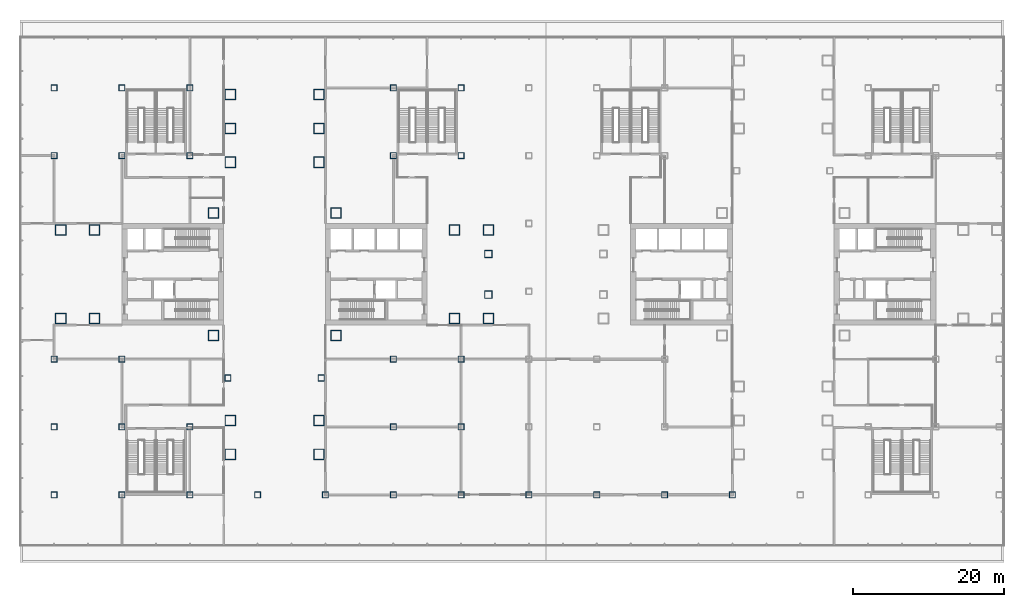
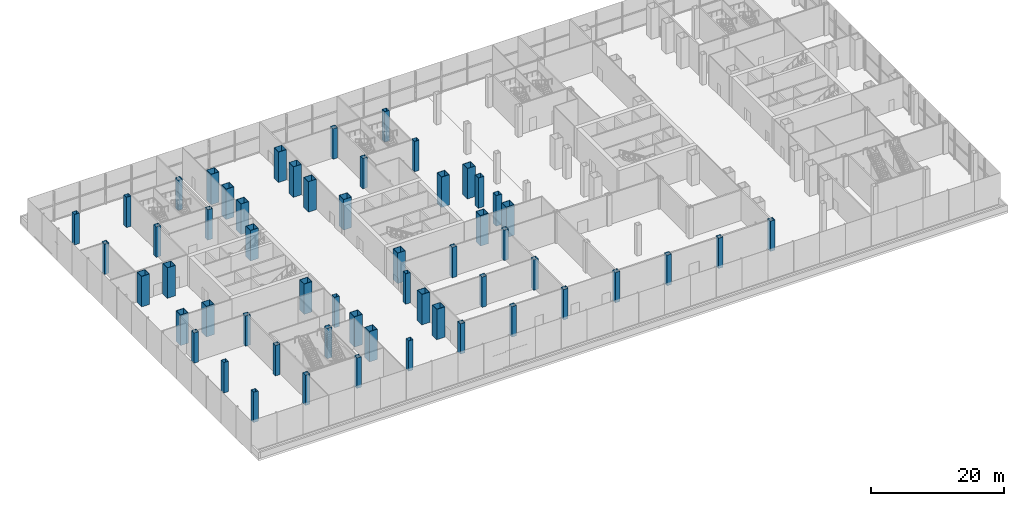
# One storey, part 1 of 38: 56 columns.
"""IFC4 building model written with IfcOpenShell, lengths in metres."""

from ifc_helpers import new_model, si_unit, direction, frame, origin, origin_2d, place, context, subcontext, project, spatial, hollow_rectangle, extrude, material, material_profile, profile_set, type_object, element, save


model = new_model("IFC4")

# Units and contexts
model_context = context("Model", 3, precision=1e-05, world=origin(), true_north=direction((0.0, 1.0)))
body_context = subcontext(model_context, "Body", "Model", "MODEL_VIEW")
ifc_project = project(units=[si_unit("LENGTHUNIT", "METRE"), si_unit("AREAUNIT", "SQUARE_METRE"), si_unit("VOLUMEUNIT", "CUBIC_METRE"), si_unit("PLANEANGLEUNIT", "RADIAN"), si_unit("MASSUNIT", "GRAM", prefix="KILO")], contexts=[model_context])

# Site, building, storey
site_placement = place(None, origin())
site = spatial("IfcSite", under=ifc_project, at=site_placement, CompositionType="ELEMENT")
building_placement = place(site_placement, origin())
building = spatial("IfcBuilding", under=site, at=building_placement, Name="Shamsa Quay Exchange Towers", CompositionType="ELEMENT")
storey_placement = place(building_placement, frame((0.0, 0.0, 12.5)))
storey = spatial("IfcBuildingStorey", under=building, at=storey_placement, Name="L02", CompositionType="ELEMENT", Elevation=12.5)

# Columns
ifc_material_1 = material(Name="Concrete-filled steel tube S355 / C80/95", Category="concrete")
ifc_material_profile_1 = material_profile(ifc_material_1, hollow_rectangle(XDim=1.39990234375, YDim=1.39990234375, WallThickness=0.06005859375, at=origin_2d()), Name="CFT 1400x1400x60")
ifc_profile_set_1 = profile_set([ifc_material_profile_1], Name="Concrete-filled steel tube S355 / C80/95")
column_type_1 = type_object("IfcColumnType", Name="Column CFT 1400x1400x60", PredefinedType="COLUMN", material=ifc_profile_set_1)
for number, where, name in (
    (1, (-25.625, 8.125, 0.0), "Mega column T1-CM01"),
    (2, (-25.625, -8.125, 0.0), "Mega column T1-CM02"),
    (3, (-41.875, 8.125, 0.0), "Mega column T1-CM03"),
    (4, (-41.875, -8.125, 0.0), "Mega column T1-CM04"),
    (5, (-9.875, -5.875, 0.0), "Mega column T1-CM05"),
    (6, (-5.375, -5.875, 0.0), "Mega column T1-CM06"),
    (7, (-9.875, 5.875, 0.0), "Mega column T1-CM07"),
    (8, (-5.375, 5.875, 0.0), "Mega column T1-CM08"),
    (9, (-57.625, -5.875, 0.0), "Mega column T1-CM09"),
    (10, (-62.125, -5.875, 0.0), "Mega column T1-CM10"),
    (11, (-57.625, 5.875, 0.0), "Mega column T1-CM11"),
    (12, (-62.125, 5.875, 0.0), "Mega column T1-CM12"),
    (13, (-39.625, 14.875, 0.0), "Mega column T1-CM13"),
    (14, (-39.625, 19.375, 0.0), "Mega column T1-CM14"),
    (15, (-39.625, 23.875, 0.0), "Mega column T1-CM15"),
    (16, (-27.875, 14.875, 0.0), "Mega column T1-CM16"),
    (17, (-27.875, 19.375, 0.0), "Mega column T1-CM17"),
    (18, (-27.875, 23.875, 0.0), "Mega column T1-CM18"),
    (19, (-39.625, -19.375, 0.0), "Mega column T1-CM20"),
    (20, (-39.625, -23.875, 0.0), "Mega column T1-CM21"),
    (21, (-27.875, -19.375, 0.0), "Mega column T1-CM23"),
    (22, (-27.875, -23.875, 0.0), "Mega column T1-CM24"),
):
    element("IfcColumn", number, at=place(storey_placement, frame(where)), inside=storey, type_object=column_type_1, Name=name, PredefinedType="COLUMN", context=body_context, shape_type="SweptSolid", body=[
        extrude(hollow_rectangle(XDim=1.39990234375, YDim=1.39990234375, WallThickness=0.06005859375, at=origin_2d()), origin(), (0.0, 0.0, 1.0), 5.60009765625),
    ])
ifc_material_2 = material(Name="Concrete-filled steel tube S355 / C60/75", Category="concrete")
ifc_material_profile_2 = material_profile(ifc_material_2, hollow_rectangle(XDim=0.800048828125, YDim=0.800048828125, WallThickness=0.030029296875, at=origin_2d()), Name="CFT 800x800x30")
ifc_profile_set_2 = profile_set([ifc_material_profile_2], Name="Concrete-filled steel tube S355 / C60/75")
column_type_2 = type_object("IfcColumnType", Name="Column CFT 800x800x30", PredefinedType="COLUMN", material=ifc_profile_set_2)
for number, where, name in (
    (23, (-39.9375, -13.75, 0.0), "Perimeter column T1-CP19"),
    (24, (-27.5625, -13.75, 0.0), "Perimeter column T1-CP22"),
    (25, (-63.0, -29.25, 0.0), "Perimeter column PD-C-0630-0292"),
    (26, (-63.0, -20.25, 0.0), "Perimeter column PD-C-0630-0202"),
    (27, (-63.0, -11.25, 0.0), "Perimeter column PD-C-0630-0112"),
    (28, (-63.0, 15.75, 0.0), "Perimeter column PD-C-0630+0158"),
    (29, (-63.0, 24.75, 0.0), "Perimeter column PD-C-0630+0248"),
    (30, (-54.0, -29.25, 0.0), "Perimeter column PD-C-0540-0292"),
    (31, (-54.0, -20.25, 0.0), "Perimeter column PD-C-0540-0202"),
    (32, (-54.0, -11.25, 0.0), "Perimeter column PD-C-0540-0112"),
    (33, (-54.0, 15.75, 0.0), "Perimeter column PD-C-0540+0158"),
    (34, (-54.0, 24.75, 0.0), "Perimeter column PD-C-0540+0248"),
    (35, (-45.0, -29.25, 0.0), "Perimeter column PD-C-0450-0292"),
    (36, (-45.0, -20.25, 0.0), "Perimeter column PD-C-0450-0202"),
    (37, (-45.0, 15.75, 0.0), "Perimeter column PD-C-0450+0158"),
    (38, (-45.0, 24.75, 0.0), "Perimeter column PD-C-0450+0248"),
    (39, (-36.0, -29.25, 0.0), "Perimeter column PD-C-0360-0292"),
    (40, (-27.0, -29.25, 0.0), "Perimeter column PD-C-0270-0292"),
    (41, (-18.0, -29.25, 0.0), "Perimeter column PD-C-0180-0292"),
    (42, (-18.0, -20.25, 0.0), "Perimeter column PD-C-0180-0202"),
    (43, (-18.0, -11.25, 0.0), "Perimeter column PD-C-0180-0112"),
    (44, (-18.0, 15.75, 0.0), "Perimeter column PD-C-0180+0158"),
    (45, (-18.0, 24.75, 0.0), "Perimeter column PD-C-0180+0248"),
    (46, (-9.0, -29.25, 0.0), "Perimeter column PD-C-0090-0292"),
    (47, (-9.0, -20.25, 0.0), "Perimeter column PD-C-0090-0202"),
    (48, (-9.0, -11.25, 0.0), "Perimeter column PD-C-0090-0112"),
    (49, (-9.0, 15.75, 0.0), "Perimeter column PD-C-0090+0158"),
    (50, (-9.0, 24.75, 0.0), "Perimeter column PD-C-0090+0248"),
    (51, (0.0, -29.25, 0.0), "Perimeter column PD-C+0000-0292"),
    (52, (9.0, -29.25, 0.0), "Perimeter column PD-C+0090-0292"),
    (53, (18.0, -29.25, 0.0), "Perimeter column PD-C+0180-0292"),
    (54, (27.0, -29.25, 0.0), "Perimeter column PD-C+0270-0292"),
):
    element("IfcColumn", number, at=place(storey_placement, frame(where)), inside=storey, type_object=column_type_2, Name=name, PredefinedType="COLUMN", context=body_context, shape_type="SweptSolid", body=[
        extrude(hollow_rectangle(XDim=0.800048828125, YDim=0.800048828125, WallThickness=0.030029296875, at=origin_2d()), origin(), (0.0, 0.0, 1.0), 5.60009765625),
    ])
ifc_material_3 = material(Name="Concrete-filled steel tube S355 / C70/85", Category="concrete")
ifc_material_profile_3 = material_profile(ifc_material_3, hollow_rectangle(XDim=1.0, YDim=1.0, WallThickness=0.0400390625, at=origin_2d()), Name="CFT 1000x1000x40")
ifc_profile_set_3 = profile_set([ifc_material_profile_3], Name="Concrete-filled steel tube S355 / C70/85")
column_type_3 = type_object("IfcColumnType", Name="Landing column CFT 1000x1000x40", PredefinedType="COLUMN", material=ifc_profile_set_3)
for number, where, name in (
    (55, (-5.375, -2.699951171875, 0.0), "Landing column T1 S"),
    (56, (-5.375, 2.699951171875, 0.0), "Landing column T1 N"),
):
    element("IfcColumn", number, at=place(storey_placement, frame(where)), inside=storey, type_object=column_type_3, Name=name, PredefinedType="COLUMN", context=body_context, shape_type="SweptSolid", body=[
        extrude(hollow_rectangle(XDim=1.0, YDim=1.0, WallThickness=0.0400390625, at=origin_2d()), origin(), (0.0, 0.0, 1.0), 5.60009765625),
    ])

save(model, "model.ifc")
